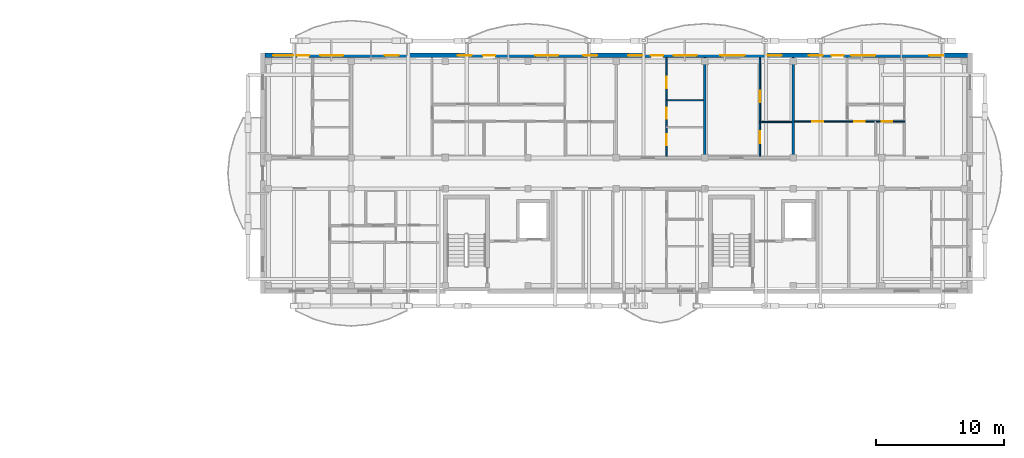
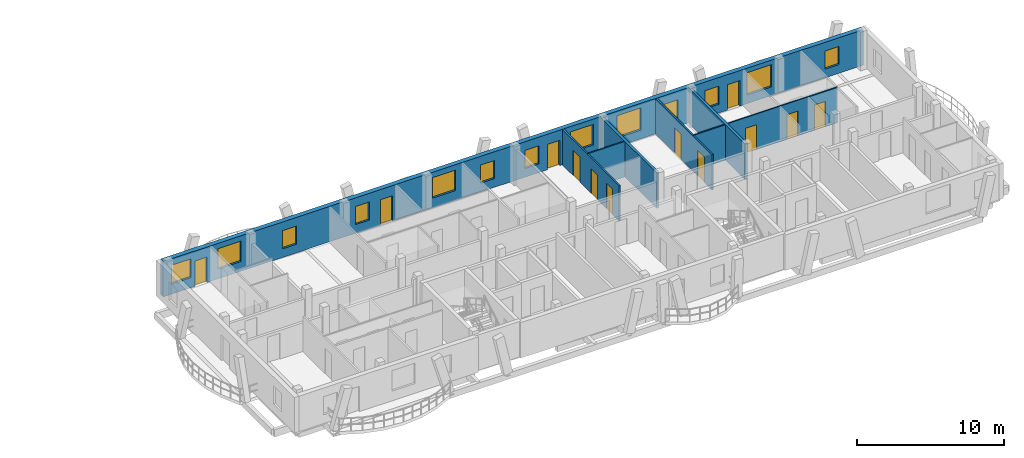
# One storey, part 36 of 50: 13 windows, 12 doors, 8 walls, 25 openings.
"""IFC4 building model written with IfcOpenShell, lengths in metres."""

from ifc_helpers import new_model, si_unit, direction, frame, frame_2d, origin, origin_with_axes, place, context, subcontext, project, spatial, rectangle, extrude, material, layer, layer_set, type_object, element, fill, save


model = new_model("IFC4")

# Units and contexts
model_context = context("Model", 3, precision=1e-05, world=origin(), true_north=direction((0.0, 1.0)))
body_context = subcontext(model_context, "Body", "Model", "MODEL_VIEW")
ifc_project = project(units=[si_unit("LENGTHUNIT", "METRE"), si_unit("AREAUNIT", "SQUARE_METRE"), si_unit("VOLUMEUNIT", "CUBIC_METRE"), si_unit("PLANEANGLEUNIT", "RADIAN"), si_unit("MASSUNIT", "GRAM", prefix="KILO")], contexts=[model_context])

# Site, building, storey
site_placement = place(None, origin())
site = spatial("IfcSite", under=ifc_project, at=site_placement, CompositionType="ELEMENT")
building_placement = place(site_placement, origin())
building = spatial("IfcBuilding", under=site, at=building_placement, Name="Zavelmont Quarter", CompositionType="ELEMENT")
storey_placement = place(building_placement, frame((0.0, 0.0, 11.199951171875)))
storey = spatial("IfcBuildingStorey", under=building, at=storey_placement, Name="L03", CompositionType="ELEMENT", Elevation=11.199951171875)

# Wall, openings, doors, windows
ifc_material_1 = material(Name="Natural Belgian limestone", Category="masonry")
ifc_layer_1 = layer(ifc_material_1, 0.360107421875)
ifc_layer_set_1 = layer_set([ifc_layer_1], Name="Natural Belgian limestone")
wall_type_1 = type_object("IfcWallType", Name="EW02", PredefinedType="STANDARD", material=ifc_layer_set_1)
wall_1_placement = place(storey_placement, frame((112.969970703125, 116.0, 0.0), z_axis=(0.0, 0.0, 1.0), x_axis=(1.0, 0.0, 0.0)))
wall_1 = element("IfcWall", 1, at=wall_1_placement, inside=storey, type_object=wall_type_1, Name="L03 exterior limestone wall EW02", PredefinedType="STANDARD", context=body_context, shape_type="SweptSolid", body=[
    extrude(rectangle(XDim=54.860107421875, YDim=0.360107421875, at=frame_2d((27.43017578125, 0.0))), origin(), (0.0, 0.0, 1.0), 2.93994140625),
])
opening_1_placement = place(wall_1_placement, frame((2.4970703125, 0.0, 0.0)))
opening_1 = element("IfcOpeningElement", 2, at=opening_1_placement, cuts=wall_1, Name="Opening DR04", PredefinedType="OPENING", context=body_context, shape_type="SweptSolid", body=[
    extrude(rectangle(XDim=0.949951171875, YDim=2.10009765625, at=frame_2d((0.47509765625, 1.050048828125))), frame((0.0, 0.19189453125, 0.0), z_axis=(0.0, -1.0, 0.0), x_axis=(1.0, 0.0, 0.0)), (0.0, 0.0, 1.0), 0.384033203125),
])
opening_2_placement = place(wall_1_placement, frame((17.0263671875, 0.0, 0.0)))
opening_2 = element("IfcOpeningElement", 3, at=opening_2_placement, cuts=wall_1, Name="Opening DR04", PredefinedType="OPENING", context=body_context, shape_type="SweptSolid", body=[
    extrude(rectangle(XDim=0.949951171875, YDim=2.10009765625, at=frame_2d((0.47509765625, 1.050048828125))), frame((0.0, 0.19189453125, 0.0), z_axis=(0.0, -1.0, 0.0), x_axis=(1.0, 0.0, 0.0)), (0.0, 0.0, 1.0), 0.384033203125),
])
opening_3_placement = place(wall_1_placement, frame((30.126220703125, 0.0, 0.0)))
opening_3 = element("IfcOpeningElement", 4, at=opening_3_placement, cuts=wall_1, Name="Opening DR04", PredefinedType="OPENING", context=body_context, shape_type="SweptSolid", body=[
    extrude(rectangle(XDim=0.949951171875, YDim=2.10009765625, at=frame_2d((0.47509765625, 1.050048828125))), frame((0.0, 0.19189453125, 0.0), z_axis=(0.0, -1.0, 0.0), x_axis=(1.0, 0.0, 0.0)), (0.0, 0.0, 1.0), 0.384033203125),
])
opening_4_placement = place(wall_1_placement, frame((44.226318359375, 0.0, 0.0)))
opening_4 = element("IfcOpeningElement", 5, at=opening_4_placement, cuts=wall_1, Name="Opening DR04", PredefinedType="OPENING", context=body_context, shape_type="SweptSolid", body=[
    extrude(rectangle(XDim=0.949951171875, YDim=2.10009765625, at=frame_2d((0.47509765625, 1.050048828125))), frame((0.0, 0.19189453125, 0.0), z_axis=(0.0, -1.0, 0.0), x_axis=(1.0, 0.0, 0.0)), (0.0, 0.0, 1.0), 0.384033203125),
])
opening_5_placement = place(wall_1_placement, frame((0.64501953125, 0.0, 0.85009765625)))
opening_5 = element("IfcOpeningElement", 6, at=opening_5_placement, cuts=wall_1, Name="Opening WN23", PredefinedType="OPENING", context=body_context, shape_type="SweptSolid", body=[
    extrude(rectangle(XDim=1.550048828125, YDim=1.550048828125, at=frame_2d((0.77490234375, 0.77490234375))), frame((0.0, 0.19189453125, 0.0), z_axis=(0.0, -1.0, 0.0), x_axis=(1.0, 0.0, 0.0)), (0.0, 0.0, 1.0), 0.384033203125),
])
opening_6_placement = place(wall_1_placement, frame((4.300048828125, 0.0, 0.800048828125)))
opening_6 = element("IfcOpeningElement", 7, at=opening_6_placement, cuts=wall_1, Name="Opening WN02", PredefinedType="OPENING", context=body_context, shape_type="SweptSolid", body=[
    extrude(rectangle(XDim=1.800048828125, YDim=1.699951171875, at=frame_2d((0.89990234375, 0.85009765625))), frame((0.0, 0.19189453125, 0.0), z_axis=(0.0, -1.0, 0.0), x_axis=(1.0, 0.0, 0.0)), (0.0, 0.0, 1.0), 0.384033203125),
])
opening_7_placement = place(wall_1_placement, frame((9.35009765625, 0.0, 0.719970703125)))
opening_7 = element("IfcOpeningElement", 8, at=opening_7_placement, cuts=wall_1, Name="Opening WN09", PredefinedType="OPENING", context=body_context, shape_type="SweptSolid", body=[
    extrude(rectangle(XDim=1.10009765625, YDim=1.5, at=frame_2d((0.550048828125, 0.75))), frame((0.0, 0.19189453125, 0.0), z_axis=(0.0, -1.0, 0.0), x_axis=(1.0, 0.0, 0.0)), (0.0, 0.0, 1.0), 0.384033203125),
])
opening_8_placement = place(wall_1_placement, frame((15.050048828125, 0.0, 0.719970703125)))
opening_8 = element("IfcOpeningElement", 9, at=opening_8_placement, cuts=wall_1, Name="Opening WN09", PredefinedType="OPENING", context=body_context, shape_type="SweptSolid", body=[
    extrude(rectangle(XDim=1.10009765625, YDim=1.5, at=frame_2d((0.550048828125, 0.75))), frame((0.0, 0.19189453125, 0.0), z_axis=(0.0, -1.0, 0.0), x_axis=(1.0, 0.0, 0.0)), (0.0, 0.0, 1.0), 0.384033203125),
])
opening_9_placement = place(wall_1_placement, frame((21.10009765625, 0.0, 0.800048828125)))
opening_9 = element("IfcOpeningElement", 10, at=opening_9_placement, cuts=wall_1, Name="Opening WN02", PredefinedType="OPENING", context=body_context, shape_type="SweptSolid", body=[
    extrude(rectangle(XDim=1.800048828125, YDim=1.699951171875, at=frame_2d((0.89990234375, 0.85009765625))), frame((0.0, 0.19189453125, 0.0), z_axis=(0.0, -1.0, 0.0), x_axis=(1.0, 0.0, 0.0)), (0.0, 0.0, 1.0), 0.384033203125),
])
opening_10_placement = place(wall_1_placement, frame((24.85009765625, 0.0, 0.719970703125)))
opening_10 = element("IfcOpeningElement", 11, at=opening_10_placement, cuts=wall_1, Name="Opening WN09", PredefinedType="OPENING", context=body_context, shape_type="SweptSolid", body=[
    extrude(rectangle(XDim=1.10009765625, YDim=1.5, at=frame_2d((0.550048828125, 0.75))), frame((0.0, 0.19189453125, 0.0), z_axis=(0.0, -1.0, 0.0), x_axis=(1.0, 0.0, 0.0)), (0.0, 0.0, 1.0), 0.384033203125),
])
opening_11_placement = place(wall_1_placement, frame((28.35009765625, 0.0, 0.719970703125)))
opening_11 = element("IfcOpeningElement", 12, at=opening_11_placement, cuts=wall_1, Name="Opening WN09", PredefinedType="OPENING", context=body_context, shape_type="SweptSolid", body=[
    extrude(rectangle(XDim=1.10009765625, YDim=1.5, at=frame_2d((0.550048828125, 0.75))), frame((0.0, 0.19189453125, 0.0), z_axis=(0.0, -1.0, 0.0), x_axis=(1.0, 0.0, 0.0)), (0.0, 0.0, 1.0), 0.384033203125),
])
opening_12_placement = place(wall_1_placement, frame((31.89990234375, 0.0, 0.800048828125)))
opening_12 = element("IfcOpeningElement", 13, at=opening_12_placement, cuts=wall_1, Name="Opening WN02", PredefinedType="OPENING", context=body_context, shape_type="SweptSolid", body=[
    extrude(rectangle(XDim=1.800048828125, YDim=1.699951171875, at=frame_2d((0.89990234375, 0.85009765625))), frame((0.0, 0.19189453125, 0.0), z_axis=(0.0, -1.0, 0.0), x_axis=(1.0, 0.0, 0.0)), (0.0, 0.0, 1.0), 0.384033203125),
])
opening_13_placement = place(wall_1_placement, frame((35.550048828125, 0.0, 0.719970703125)))
opening_13 = element("IfcOpeningElement", 14, at=opening_13_placement, cuts=wall_1, Name="Opening WN20", PredefinedType="OPENING", context=body_context, shape_type="SweptSolid", body=[
    extrude(rectangle(XDim=1.89990234375, YDim=1.85009765625, at=frame_2d((0.949951171875, 0.925048828125))), frame((0.0, 0.19189453125, 0.0), z_axis=(0.0, -1.0, 0.0), x_axis=(1.0, 0.0, 0.0)), (0.0, 0.0, 1.0), 0.384033203125),
])
opening_14_placement = place(wall_1_placement, frame((39.25, 0.0, 0.719970703125)))
opening_14 = element("IfcOpeningElement", 15, at=opening_14_placement, cuts=wall_1, Name="Opening WN09", PredefinedType="OPENING", context=body_context, shape_type="SweptSolid", body=[
    extrude(rectangle(XDim=1.10009765625, YDim=1.5, at=frame_2d((0.550048828125, 0.75))), frame((0.0, 0.19189453125, 0.0), z_axis=(0.0, -1.0, 0.0), x_axis=(1.0, 0.0, 0.0)), (0.0, 0.0, 1.0), 0.384033203125),
])
opening_15_placement = place(wall_1_placement, frame((42.449951171875, 0.0, 0.719970703125)))
opening_15 = element("IfcOpeningElement", 16, at=opening_15_placement, cuts=wall_1, Name="Opening WN09", PredefinedType="OPENING", context=body_context, shape_type="SweptSolid", body=[
    extrude(rectangle(XDim=1.10009765625, YDim=1.5, at=frame_2d((0.550048828125, 0.75))), frame((0.0, 0.19189453125, 0.0), z_axis=(0.0, -1.0, 0.0), x_axis=(1.0, 0.0, 0.0)), (0.0, 0.0, 1.0), 0.384033203125),
])
opening_16_placement = place(wall_1_placement, frame((45.75, 0.0, 0.719970703125)))
opening_16 = element("IfcOpeningElement", 17, at=opening_16_placement, cuts=wall_1, Name="Opening WN20", PredefinedType="OPENING", context=body_context, shape_type="SweptSolid", body=[
    extrude(rectangle(XDim=1.89990234375, YDim=1.85009765625, at=frame_2d((0.949951171875, 0.925048828125))), frame((0.0, 0.19189453125, 0.0), z_axis=(0.0, -1.0, 0.0), x_axis=(1.0, 0.0, 0.0)), (0.0, 0.0, 1.0), 0.384033203125),
])
opening_17_placement = place(wall_1_placement, frame((51.85009765625, 0.0, 0.719970703125)))
opening_17 = element("IfcOpeningElement", 18, at=opening_17_placement, cuts=wall_1, Name="Opening WN09", PredefinedType="OPENING", context=body_context, shape_type="SweptSolid", body=[
    extrude(rectangle(XDim=1.10009765625, YDim=1.5, at=frame_2d((0.550048828125, 0.75))), frame((0.0, 0.19189453125, 0.0), z_axis=(0.0, -1.0, 0.0), x_axis=(1.0, 0.0, 0.0)), (0.0, 0.0, 1.0), 0.384033203125),
])
ifc_material_2 = material(Name="Thermally broken aluminium and double safety glass", Category="aluminium")
door_type_1 = type_object("IfcDoorType", Name="DR04", OperationType="NOTDEFINED", PredefinedType="DOOR", material=ifc_material_2)
door_1_placement = place(opening_1_placement, frame((0.949951171875, 0.0, 0.0), z_axis=(0.0, 0.0, 1.0), x_axis=(-1.0, 0.0, 0.0)))
door_1 = element("IfcDoor", 19, at=door_1_placement, inside=storey, type_object=door_type_1, Name="Block C L03 glazed balcony door", OperationType="SINGLE_SWING_LEFT", OverallHeight=2.10009765625, OverallWidth=0.949951171875, PredefinedType="DOOR", context=body_context, shape_type="SweptSolid", body=[
    extrude(rectangle(XDim=0.949951171875, YDim=2.10009765625, at=frame_2d((0.47509765625, 1.050048828125))), frame((0.0, 0.02490234375, 0.0), z_axis=(0.0, -1.0, 0.0), x_axis=(1.0, 0.0, 0.0)), (0.0, 0.0, 1.0), 0.050048828125),
])
fill(opening_1, door_1)
door_2_placement = place(opening_2_placement, frame((0.949951171875, 0.0, 0.0), z_axis=(0.0, 0.0, 1.0), x_axis=(-1.0, 0.0, 0.0)))
door_2 = element("IfcDoor", 20, at=door_2_placement, inside=storey, type_object=door_type_1, Name="Block C L03 glazed balcony door", OperationType="SINGLE_SWING_LEFT", OverallHeight=2.10009765625, OverallWidth=0.949951171875, PredefinedType="DOOR", context=body_context, shape_type="SweptSolid", body=[
    extrude(rectangle(XDim=0.949951171875, YDim=2.10009765625, at=frame_2d((0.47509765625, 1.050048828125))), frame((0.0, 0.02490234375, 0.0), z_axis=(0.0, -1.0, 0.0), x_axis=(1.0, 0.0, 0.0)), (0.0, 0.0, 1.0), 0.050048828125),
])
fill(opening_2, door_2)
door_3_placement = place(opening_3_placement, frame((0.949951171875, 0.0, 0.0), z_axis=(0.0, 0.0, 1.0), x_axis=(-1.0, 0.0, 0.0)))
door_3 = element("IfcDoor", 21, at=door_3_placement, inside=storey, type_object=door_type_1, Name="Block C L03 glazed balcony door", OperationType="SINGLE_SWING_LEFT", OverallHeight=2.10009765625, OverallWidth=0.949951171875, PredefinedType="DOOR", context=body_context, shape_type="SweptSolid", body=[
    extrude(rectangle(XDim=0.949951171875, YDim=2.10009765625, at=frame_2d((0.47509765625, 1.050048828125))), frame((0.0, 0.02490234375, 0.0), z_axis=(0.0, -1.0, 0.0), x_axis=(1.0, 0.0, 0.0)), (0.0, 0.0, 1.0), 0.050048828125),
])
fill(opening_3, door_3)
door_4_placement = place(opening_4_placement, frame((0.949951171875, 0.0, 0.0), z_axis=(0.0, 0.0, 1.0), x_axis=(-1.0, 0.0, 0.0)))
door_4 = element("IfcDoor", 22, at=door_4_placement, inside=storey, type_object=door_type_1, Name="Block C L03 glazed balcony door", OperationType="SINGLE_SWING_LEFT", OverallHeight=2.10009765625, OverallWidth=0.949951171875, PredefinedType="DOOR", context=body_context, shape_type="SweptSolid", body=[
    extrude(rectangle(XDim=0.949951171875, YDim=2.10009765625, at=frame_2d((0.47509765625, 1.050048828125))), frame((0.0, 0.02490234375, 0.0), z_axis=(0.0, -1.0, 0.0), x_axis=(1.0, 0.0, 0.0)), (0.0, 0.0, 1.0), 0.050048828125),
])
fill(opening_4, door_4)
ifc_material_3 = material(Name="Double low-E insulated glazing in thermally broken aluminium frame", Category="aluminium")
window_type_1 = type_object("IfcWindowType", Name="WN02", PartitioningType="SINGLE_PANEL", PredefinedType="WINDOW", material=ifc_material_3)
window_1_placement = place(opening_6_placement, origin_with_axes())
window_1 = element("IfcWindow", 23, at=window_1_placement, inside=storey, type_object=window_type_1, Name="L03 window WN02", OverallHeight=1.699951171875, OverallWidth=1.800048828125, PartitioningType="SINGLE_PANEL", PredefinedType="WINDOW", context=body_context, shape_type="SweptSolid", body=[
    extrude(rectangle(XDim=1.800048828125, YDim=1.699951171875, at=frame_2d((0.89990234375, 0.85009765625))), frame((0.0, 0.030029296875, 0.0), z_axis=(0.0, -1.0, 0.0), x_axis=(1.0, 0.0, 0.0)), (0.0, 0.0, 1.0), 0.06005859375),
])
fill(opening_6, window_1)
window_2_placement = place(opening_9_placement, origin_with_axes())
window_2 = element("IfcWindow", 24, at=window_2_placement, inside=storey, type_object=window_type_1, Name="L03 window WN02", OverallHeight=1.699951171875, OverallWidth=1.800048828125, PartitioningType="SINGLE_PANEL", PredefinedType="WINDOW", context=body_context, shape_type="SweptSolid", body=[
    extrude(rectangle(XDim=1.800048828125, YDim=1.699951171875, at=frame_2d((0.89990234375, 0.85009765625))), frame((0.0, 0.030029296875, 0.0), z_axis=(0.0, -1.0, 0.0), x_axis=(1.0, 0.0, 0.0)), (0.0, 0.0, 1.0), 0.06005859375),
])
fill(opening_9, window_2)
window_3_placement = place(opening_12_placement, origin_with_axes())
window_3 = element("IfcWindow", 25, at=window_3_placement, inside=storey, type_object=window_type_1, Name="L03 window WN02", OverallHeight=1.699951171875, OverallWidth=1.800048828125, PartitioningType="SINGLE_PANEL", PredefinedType="WINDOW", context=body_context, shape_type="SweptSolid", body=[
    extrude(rectangle(XDim=1.800048828125, YDim=1.699951171875, at=frame_2d((0.89990234375, 0.85009765625))), frame((0.0, 0.030029296875, 0.0), z_axis=(0.0, -1.0, 0.0), x_axis=(1.0, 0.0, 0.0)), (0.0, 0.0, 1.0), 0.06005859375),
])
fill(opening_12, window_3)
window_type_2 = type_object("IfcWindowType", Name="WN09", PartitioningType="SINGLE_PANEL", PredefinedType="WINDOW", material=ifc_material_3)
window_4_placement = place(opening_7_placement, origin_with_axes())
window_4 = element("IfcWindow", 26, at=window_4_placement, inside=storey, type_object=window_type_2, Name="L03 window WN09", OverallHeight=1.5, OverallWidth=1.10009765625, PartitioningType="SINGLE_PANEL", PredefinedType="WINDOW", context=body_context, shape_type="SweptSolid", body=[
    extrude(rectangle(XDim=1.10009765625, YDim=1.5, at=frame_2d((0.550048828125, 0.75))), frame((0.0, 0.030029296875, 0.0), z_axis=(0.0, -1.0, 0.0), x_axis=(1.0, 0.0, 0.0)), (0.0, 0.0, 1.0), 0.06005859375),
])
fill(opening_7, window_4)
window_5_placement = place(opening_8_placement, origin_with_axes())
window_5 = element("IfcWindow", 27, at=window_5_placement, inside=storey, type_object=window_type_2, Name="L03 window WN09", OverallHeight=1.5, OverallWidth=1.10009765625, PartitioningType="SINGLE_PANEL", PredefinedType="WINDOW", context=body_context, shape_type="SweptSolid", body=[
    extrude(rectangle(XDim=1.10009765625, YDim=1.5, at=frame_2d((0.550048828125, 0.75))), frame((0.0, 0.030029296875, 0.0), z_axis=(0.0, -1.0, 0.0), x_axis=(1.0, 0.0, 0.0)), (0.0, 0.0, 1.0), 0.06005859375),
])
fill(opening_8, window_5)
window_6_placement = place(opening_10_placement, origin_with_axes())
window_6 = element("IfcWindow", 28, at=window_6_placement, inside=storey, type_object=window_type_2, Name="L03 window WN09", OverallHeight=1.5, OverallWidth=1.10009765625, PartitioningType="SINGLE_PANEL", PredefinedType="WINDOW", context=body_context, shape_type="SweptSolid", body=[
    extrude(rectangle(XDim=1.10009765625, YDim=1.5, at=frame_2d((0.550048828125, 0.75))), frame((0.0, 0.030029296875, 0.0), z_axis=(0.0, -1.0, 0.0), x_axis=(1.0, 0.0, 0.0)), (0.0, 0.0, 1.0), 0.06005859375),
])
fill(opening_10, window_6)
window_7_placement = place(opening_11_placement, origin_with_axes())
window_7 = element("IfcWindow", 29, at=window_7_placement, inside=storey, type_object=window_type_2, Name="L03 window WN09", OverallHeight=1.5, OverallWidth=1.10009765625, PartitioningType="SINGLE_PANEL", PredefinedType="WINDOW", context=body_context, shape_type="SweptSolid", body=[
    extrude(rectangle(XDim=1.10009765625, YDim=1.5, at=frame_2d((0.550048828125, 0.75))), frame((0.0, 0.030029296875, 0.0), z_axis=(0.0, -1.0, 0.0), x_axis=(1.0, 0.0, 0.0)), (0.0, 0.0, 1.0), 0.06005859375),
])
fill(opening_11, window_7)
window_8_placement = place(opening_14_placement, origin_with_axes())
window_8 = element("IfcWindow", 30, at=window_8_placement, inside=storey, type_object=window_type_2, Name="L03 window WN09", OverallHeight=1.5, OverallWidth=1.10009765625, PartitioningType="SINGLE_PANEL", PredefinedType="WINDOW", context=body_context, shape_type="SweptSolid", body=[
    extrude(rectangle(XDim=1.10009765625, YDim=1.5, at=frame_2d((0.550048828125, 0.75))), frame((0.0, 0.030029296875, 0.0), z_axis=(0.0, -1.0, 0.0), x_axis=(1.0, 0.0, 0.0)), (0.0, 0.0, 1.0), 0.06005859375),
])
fill(opening_14, window_8)
window_9_placement = place(opening_15_placement, origin_with_axes())
window_9 = element("IfcWindow", 31, at=window_9_placement, inside=storey, type_object=window_type_2, Name="L03 window WN09", OverallHeight=1.5, OverallWidth=1.10009765625, PartitioningType="SINGLE_PANEL", PredefinedType="WINDOW", context=body_context, shape_type="SweptSolid", body=[
    extrude(rectangle(XDim=1.10009765625, YDim=1.5, at=frame_2d((0.550048828125, 0.75))), frame((0.0, 0.030029296875, 0.0), z_axis=(0.0, -1.0, 0.0), x_axis=(1.0, 0.0, 0.0)), (0.0, 0.0, 1.0), 0.06005859375),
])
fill(opening_15, window_9)
window_10_placement = place(opening_17_placement, origin_with_axes())
window_10 = element("IfcWindow", 32, at=window_10_placement, inside=storey, type_object=window_type_2, Name="L03 window WN09", OverallHeight=1.5, OverallWidth=1.10009765625, PartitioningType="SINGLE_PANEL", PredefinedType="WINDOW", context=body_context, shape_type="SweptSolid", body=[
    extrude(rectangle(XDim=1.10009765625, YDim=1.5, at=frame_2d((0.550048828125, 0.75))), frame((0.0, 0.030029296875, 0.0), z_axis=(0.0, -1.0, 0.0), x_axis=(1.0, 0.0, 0.0)), (0.0, 0.0, 1.0), 0.06005859375),
])
fill(opening_17, window_10)
window_type_3 = type_object("IfcWindowType", Name="WN20", PartitioningType="SINGLE_PANEL", PredefinedType="WINDOW", material=ifc_material_3)
window_11_placement = place(opening_13_placement, origin_with_axes())
window_11 = element("IfcWindow", 33, at=window_11_placement, inside=storey, type_object=window_type_3, Name="L03 window WN20", OverallHeight=1.85009765625, OverallWidth=1.89990234375, PartitioningType="SINGLE_PANEL", PredefinedType="WINDOW", context=body_context, shape_type="SweptSolid", body=[
    extrude(rectangle(XDim=1.89990234375, YDim=1.85009765625, at=frame_2d((0.949951171875, 0.925048828125))), frame((0.0, 0.030029296875, 0.0), z_axis=(0.0, -1.0, 0.0), x_axis=(1.0, 0.0, 0.0)), (0.0, 0.0, 1.0), 0.06005859375),
])
fill(opening_13, window_11)
window_12_placement = place(opening_16_placement, origin_with_axes())
window_12 = element("IfcWindow", 34, at=window_12_placement, inside=storey, type_object=window_type_3, Name="L03 window WN20", OverallHeight=1.85009765625, OverallWidth=1.89990234375, PartitioningType="SINGLE_PANEL", PredefinedType="WINDOW", context=body_context, shape_type="SweptSolid", body=[
    extrude(rectangle(XDim=1.89990234375, YDim=1.85009765625, at=frame_2d((0.949951171875, 0.925048828125))), frame((0.0, 0.030029296875, 0.0), z_axis=(0.0, -1.0, 0.0), x_axis=(1.0, 0.0, 0.0)), (0.0, 0.0, 1.0), 0.06005859375),
])
fill(opening_16, window_12)
window_type_4 = type_object("IfcWindowType", Name="WN23", PartitioningType="SINGLE_PANEL", PredefinedType="WINDOW", material=ifc_material_3)
window_13_placement = place(opening_5_placement, origin_with_axes())
window_13 = element("IfcWindow", 35, at=window_13_placement, inside=storey, type_object=window_type_4, Name="L03 window WN23", OverallHeight=1.550048828125, OverallWidth=1.550048828125, PartitioningType="SINGLE_PANEL", PredefinedType="WINDOW", context=body_context, shape_type="SweptSolid", body=[
    extrude(rectangle(XDim=1.550048828125, YDim=1.550048828125, at=frame_2d((0.77490234375, 0.77490234375))), frame((0.0, 0.030029296875, 0.0), z_axis=(0.0, -1.0, 0.0), x_axis=(1.0, 0.0, 0.0)), (0.0, 0.0, 1.0), 0.06005859375),
])
fill(opening_5, window_13)

# Walls
ifc_material_4 = material(Name="Calcium-silicate blockwork and acoustic plaster", Category="masonry")
ifc_layer_2 = layer(ifc_material_4, 0.199951171875)
ifc_layer_set_2 = layer_set([ifc_layer_2], Name="Calcium-silicate blockwork and acoustic plaster")
wall_type_2 = type_object("IfcWallType", Name="IW01", PredefinedType="PARTITIONING", material=ifc_layer_set_2)
for number, where, z_axis, x_axis, name in (
    (36, (147.300048828125, 108.14990234375, 0.0), (0.0, 0.0, 1.0), (0.0, 1.0, 0.0), "L03 Inter-dwelling compartment wall IW01"),
    (37, (154.199951171875, 108.14990234375, 0.0), (0.0, 0.0, 1.0), (0.0, 1.0, 0.0), "L03 Inter-dwelling compartment wall IW01"),
):
    element("IfcWall", number, at=place(storey_placement, frame(where, z_axis=z_axis, x_axis=x_axis)), inside=storey, type_object=wall_type_2, Name=name, PredefinedType="PARTITIONING", context=body_context, shape_type="SweptSolid", body=[
        extrude(rectangle(XDim=7.7001953125, YDim=0.199951171875, at=frame_2d((3.85009765625, 0.0))), origin(), (0.0, 0.0, 1.0), 2.93994140625),
    ])

# Wall, openings, doors
ifc_material_5 = material(Name="Double gypsum board on acoustic steel stud", Category="steel")
ifc_layer_3 = layer(ifc_material_5, 0.125)
ifc_layer_set_3 = layer_set([ifc_layer_3], Name="Double gypsum board on acoustic steel stud")
wall_type_3 = type_object("IfcWallType", Name="IW03", PredefinedType="PARTITIONING", material=ifc_layer_set_3)
wall_2_placement = place(storey_placement, frame((144.300048828125, 108.14990234375, 0.0), z_axis=(0.0, 0.0, 1.0), x_axis=(0.0, 1.0, 0.0)))
wall_2 = element("IfcWall", 38, at=wall_2_placement, inside=storey, type_object=wall_type_3, Name="L03 Partition IW03", PredefinedType="PARTITIONING", context=body_context, shape_type="SweptSolid", body=[
    extrude(rectangle(XDim=7.650146484375, YDim=0.125, at=frame_2d((3.8251953125, 0.0))), origin(), (0.0, 0.0, 1.0), 2.93994140625),
])
opening_18_placement = place(wall_2_placement, frame((0.85009765625, 0.0, 0.0)))
opening_18 = element("IfcOpeningElement", 39, at=opening_18_placement, cuts=wall_2, Name="Opening DR16", PredefinedType="OPENING", context=body_context, shape_type="SweptSolid", body=[
    extrude(rectangle(XDim=0.85009765625, YDim=2.10009765625, at=frame_2d((0.425048828125, 1.050048828125))), frame((0.0, 0.074462890625, 0.0), z_axis=(0.0, -1.0, 0.0), x_axis=(1.0, 0.0, 0.0)), (0.0, 0.0, 1.0), 0.14892578125),
])
opening_19_placement = place(wall_2_placement, frame((2.89990234375, 0.0, 0.0)))
opening_19 = element("IfcOpeningElement", 40, at=opening_19_placement, cuts=wall_2, Name="Opening DR06", PredefinedType="OPENING", context=body_context, shape_type="SweptSolid", body=[
    extrude(rectangle(XDim=0.85009765625, YDim=2.050048828125, at=frame_2d((0.425048828125, 1.02490234375))), frame((0.0, 0.074462890625, 0.0), z_axis=(0.0, -1.0, 0.0), x_axis=(1.0, 0.0, 0.0)), (0.0, 0.0, 1.0), 0.14892578125),
])
opening_20_placement = place(wall_2_placement, frame((5.300048828125, 0.0, 0.0)))
opening_20 = element("IfcOpeningElement", 41, at=opening_20_placement, cuts=wall_2, Name="Opening DR05", PredefinedType="OPENING", context=body_context, shape_type="SweptSolid", body=[
    extrude(rectangle(XDim=0.89990234375, YDim=2.10009765625, at=frame_2d((0.449951171875, 1.050048828125))), frame((0.0, 0.074462890625, 0.0), z_axis=(0.0, -1.0, 0.0), x_axis=(1.0, 0.0, 0.0)), (0.0, 0.0, 1.0), 0.14892578125),
])
ifc_material_6 = material(Name="Engineered oak flush interior door")
door_type_2 = type_object("IfcDoorType", Name="DR05", OperationType="NOTDEFINED", PredefinedType="DOOR", material=ifc_material_6)
door_5_placement = place(opening_20_placement, frame((0.89990234375, 0.0, 0.0), z_axis=(0.0, 0.0, 1.0), x_axis=(-1.0, 0.0, 0.0)))
door_5 = element("IfcDoor", 42, at=door_5_placement, inside=storey, type_object=door_type_2, Name="L03 door DR05", OperationType="SINGLE_SWING_RIGHT", OverallHeight=2.10009765625, OverallWidth=0.89990234375, PredefinedType="DOOR", context=body_context, shape_type="SweptSolid", body=[
    extrude(rectangle(XDim=0.89990234375, YDim=2.10009765625, at=frame_2d((0.449951171875, 1.050048828125))), frame((0.0, 0.02490234375, 0.0), z_axis=(0.0, -1.0, 0.0), x_axis=(1.0, 0.0, 0.0)), (0.0, 0.0, 1.0), 0.050048828125),
])
fill(opening_20, door_5)
ifc_material_7 = material(Name="Moisture-resistant painted wet-room door")
door_type_3 = type_object("IfcDoorType", Name="DR06", OperationType="NOTDEFINED", PredefinedType="DOOR", material=ifc_material_7)
door_6_placement = place(opening_19_placement, origin_with_axes())
door_6 = element("IfcDoor", 43, at=door_6_placement, inside=storey, type_object=door_type_3, Name="L03 door DR06", OperationType="SINGLE_SWING_LEFT", OverallHeight=2.050048828125, OverallWidth=0.85009765625, PredefinedType="DOOR", context=body_context, shape_type="SweptSolid", body=[
    extrude(rectangle(XDim=0.85009765625, YDim=2.050048828125, at=frame_2d((0.425048828125, 1.02490234375))), frame((0.0, 0.02490234375, 0.0), z_axis=(0.0, -1.0, 0.0), x_axis=(1.0, 0.0, 0.0)), (0.0, 0.0, 1.0), 0.050048828125),
])
fill(opening_19, door_6)
door_type_4 = type_object("IfcDoorType", Name="DR16", OperationType="NOTDEFINED", PredefinedType="DOOR", material=ifc_material_6)
door_7_placement = place(opening_18_placement, frame((0.85009765625, 0.0, 0.0), z_axis=(0.0, 0.0, 1.0), x_axis=(-1.0, 0.0, 0.0)))
door_7 = element("IfcDoor", 44, at=door_7_placement, inside=storey, type_object=door_type_4, Name="L03 door DR16", OperationType="SINGLE_SWING_RIGHT", OverallHeight=2.10009765625, OverallWidth=0.85009765625, PredefinedType="DOOR", context=body_context, shape_type="SweptSolid", body=[
    extrude(rectangle(XDim=0.85009765625, YDim=2.10009765625, at=frame_2d((0.425048828125, 1.050048828125))), frame((0.0, 0.02490234375, 0.0), z_axis=(0.0, -1.0, 0.0), x_axis=(1.0, 0.0, 0.0)), (0.0, 0.0, 1.0), 0.050048828125),
])
fill(opening_18, door_7)

wall_3_placement = place(storey_placement, frame((151.60009765625, 108.14990234375, 0.0), z_axis=(0.0, 0.0, 1.0), x_axis=(0.0, 1.0, 0.0)))
wall_3 = element("IfcWall", 45, at=wall_3_placement, inside=storey, type_object=wall_type_3, Name="L03 Partition IW03", PredefinedType="PARTITIONING", context=body_context, shape_type="SweptSolid", body=[
    extrude(rectangle(XDim=7.650146484375, YDim=0.125, at=frame_2d((3.8251953125, 0.0))), origin(), (0.0, 0.0, 1.0), 2.93994140625),
])
opening_21_placement = place(wall_3_placement, frame((1.0, 0.0, 0.0)))
opening_21 = element("IfcOpeningElement", 46, at=opening_21_placement, cuts=wall_3, Name="Opening DR17", PredefinedType="OPENING", context=body_context, shape_type="SweptSolid", body=[
    extrude(rectangle(XDim=0.949951171875, YDim=2.10009765625, at=frame_2d((0.47509765625, 1.050048828125))), frame((0.0, 0.074462890625, 0.0), z_axis=(0.0, -1.0, 0.0), x_axis=(1.0, 0.0, 0.0)), (0.0, 0.0, 1.0), 0.14892578125),
])
opening_22_placement = place(wall_3_placement, frame((4.199951171875, 0.0, 0.0)))
opening_22 = element("IfcOpeningElement", 47, at=opening_22_placement, cuts=wall_3, Name="Opening DR05", PredefinedType="OPENING", context=body_context, shape_type="SweptSolid", body=[
    extrude(rectangle(XDim=0.89990234375, YDim=2.10009765625, at=frame_2d((0.449951171875, 1.050048828125))), frame((0.0, 0.074462890625, 0.0), z_axis=(0.0, -1.0, 0.0), x_axis=(1.0, 0.0, 0.0)), (0.0, 0.0, 1.0), 0.14892578125),
])
door_8_placement = place(opening_22_placement, origin_with_axes())
door_8 = element("IfcDoor", 48, at=door_8_placement, inside=storey, type_object=door_type_2, Name="L03 door DR05", OperationType="SINGLE_SWING_RIGHT", OverallHeight=2.10009765625, OverallWidth=0.89990234375, PredefinedType="DOOR", context=body_context, shape_type="SweptSolid", body=[
    extrude(rectangle(XDim=0.89990234375, YDim=2.10009765625, at=frame_2d((0.449951171875, 1.050048828125))), frame((0.0, 0.02490234375, 0.0), z_axis=(0.0, -1.0, 0.0), x_axis=(1.0, 0.0, 0.0)), (0.0, 0.0, 1.0), 0.050048828125),
])
fill(opening_22, door_8)
ifc_material_8 = material(Name="Accessible washroom flush door")
door_type_5 = type_object("IfcDoorType", Name="DR17", OperationType="NOTDEFINED", PredefinedType="DOOR", material=ifc_material_8)
door_9_placement = place(opening_21_placement, frame((0.949951171875, 0.0, 0.0), z_axis=(0.0, 0.0, 1.0), x_axis=(-1.0, 0.0, 0.0)))
door_9 = element("IfcDoor", 49, at=door_9_placement, inside=storey, type_object=door_type_5, Name="L03 door DR17", OperationType="SINGLE_SWING_LEFT", OverallHeight=2.10009765625, OverallWidth=0.949951171875, PredefinedType="DOOR", context=body_context, shape_type="SweptSolid", body=[
    extrude(rectangle(XDim=0.949951171875, YDim=2.10009765625, at=frame_2d((0.47509765625, 1.050048828125))), frame((0.0, 0.02490234375, 0.0), z_axis=(0.0, -1.0, 0.0), x_axis=(1.0, 0.0, 0.0)), (0.0, 0.0, 1.0), 0.050048828125),
])
fill(opening_21, door_9)

# Walls
ifc_material_9 = material(Name="Moisture-resistant gypsum board on steel stud", Category="steel")
ifc_layer_4 = layer(ifc_material_9, 0.10009765625)
ifc_layer_set_4 = layer_set([ifc_layer_4], Name="Moisture-resistant gypsum board on steel stud")
wall_type_4 = type_object("IfcWallType", Name="IW04", PredefinedType="PARTITIONING", material=ifc_layer_set_4)
wall_4_placement = place(storey_placement, frame((144.300048828125, 112.5, 0.0), z_axis=(0.0, 0.0, 1.0), x_axis=(1.0, 0.0, 0.0)))
element("IfcWall", 50, at=wall_4_placement, inside=storey, type_object=wall_type_4, Name="L03 Partition IW04", PredefinedType="PARTITIONING", context=body_context, shape_type="SweptSolid", body=[
    extrude(rectangle(XDim=2.89990234375, YDim=0.10009765625, at=frame_2d((1.449951171875, 0.0))), origin(), (0.0, 0.0, 1.0), 2.93994140625),
])
wall_5_placement = place(storey_placement, frame((151.60009765625, 110.800048828125, 0.0), z_axis=(0.0, 0.0, 1.0), x_axis=(1.0, 0.0, 0.0)))
element("IfcWall", 51, at=wall_5_placement, inside=storey, type_object=wall_type_4, Name="L03 Partition IW04", PredefinedType="PARTITIONING", context=body_context, shape_type="SweptSolid", body=[
    extrude(rectangle(XDim=2.5, YDim=0.10009765625, at=frame_2d((1.25, 0.0))), origin(), (0.0, 0.0, 1.0), 2.93994140625),
])

# Wall, openings, doors
wall_6_placement = place(storey_placement, frame((154.300048828125, 110.85009765625, 0.0), z_axis=(0.0, 0.0, 1.0), x_axis=(1.0, 0.0, 0.0)))
wall_6 = element("IfcWall", 52, at=wall_6_placement, inside=storey, type_object=wall_type_4, Name="L03 Partition IW04", PredefinedType="PARTITIONING", context=body_context, shape_type="SweptSolid", body=[
    extrude(rectangle(XDim=8.599853515625, YDim=0.10009765625, at=frame_2d((4.2998046875, 0.0))), origin(), (0.0, 0.0, 1.0), 2.93994140625),
])
opening_23_placement = place(wall_6_placement, frame((1.39990234375, 0.0, 0.0)))
opening_23 = element("IfcOpeningElement", 53, at=opening_23_placement, cuts=wall_6, Name="Opening DR06", PredefinedType="OPENING", context=body_context, shape_type="SweptSolid", body=[
    extrude(rectangle(XDim=0.85009765625, YDim=2.050048828125, at=frame_2d((0.425048828125, 1.02490234375))), frame((0.0, 0.06201171875, 0.0), z_axis=(0.0, -1.0, 0.0), x_axis=(1.0, 0.0, 0.0)), (0.0, 0.0, 1.0), 0.1240234375),
])
opening_24_placement = place(wall_6_placement, frame((4.64990234375, 0.0, 0.0)))
opening_24 = element("IfcOpeningElement", 54, at=opening_24_placement, cuts=wall_6, Name="Opening DR06", PredefinedType="OPENING", context=body_context, shape_type="SweptSolid", body=[
    extrude(rectangle(XDim=0.85009765625, YDim=2.050048828125, at=frame_2d((0.425048828125, 1.02490234375))), frame((0.0, 0.06201171875, 0.0), z_axis=(0.0, -1.0, 0.0), x_axis=(1.0, 0.0, 0.0)), (0.0, 0.0, 1.0), 0.1240234375),
])
opening_25_placement = place(wall_6_placement, frame((6.800048828125, 0.0, 0.0)))
opening_25 = element("IfcOpeningElement", 55, at=opening_25_placement, cuts=wall_6, Name="Opening DR16", PredefinedType="OPENING", context=body_context, shape_type="SweptSolid", body=[
    extrude(rectangle(XDim=0.85009765625, YDim=2.10009765625, at=frame_2d((0.425048828125, 1.050048828125))), frame((0.0, 0.06201171875, 0.0), z_axis=(0.0, -1.0, 0.0), x_axis=(1.0, 0.0, 0.0)), (0.0, 0.0, 1.0), 0.1240234375),
])
door_10_placement = place(opening_23_placement, origin_with_axes())
door_10 = element("IfcDoor", 56, at=door_10_placement, inside=storey, type_object=door_type_3, Name="L03 door DR06", OperationType="SINGLE_SWING_LEFT", OverallHeight=2.050048828125, OverallWidth=0.85009765625, PredefinedType="DOOR", context=body_context, shape_type="SweptSolid", body=[
    extrude(rectangle(XDim=0.85009765625, YDim=2.050048828125, at=frame_2d((0.425048828125, 1.02490234375))), frame((0.0, 0.02490234375, 0.0), z_axis=(0.0, -1.0, 0.0), x_axis=(1.0, 0.0, 0.0)), (0.0, 0.0, 1.0), 0.050048828125),
])
fill(opening_23, door_10)
door_11_placement = place(opening_24_placement, frame((0.85009765625, 0.0, 0.0), z_axis=(0.0, 0.0, 1.0), x_axis=(-1.0, 0.0, 0.0)))
door_11 = element("IfcDoor", 57, at=door_11_placement, inside=storey, type_object=door_type_3, Name="L03 door DR06", OperationType="SINGLE_SWING_RIGHT", OverallHeight=2.050048828125, OverallWidth=0.85009765625, PredefinedType="DOOR", context=body_context, shape_type="SweptSolid", body=[
    extrude(rectangle(XDim=0.85009765625, YDim=2.050048828125, at=frame_2d((0.425048828125, 1.02490234375))), frame((0.0, 0.02490234375, 0.0), z_axis=(0.0, -1.0, 0.0), x_axis=(1.0, 0.0, 0.0)), (0.0, 0.0, 1.0), 0.050048828125),
])
fill(opening_24, door_11)
door_12_placement = place(opening_25_placement, origin_with_axes())
door_12 = element("IfcDoor", 58, at=door_12_placement, inside=storey, type_object=door_type_4, Name="L03 door DR16", OperationType="SINGLE_SWING_LEFT", OverallHeight=2.10009765625, OverallWidth=0.85009765625, PredefinedType="DOOR", context=body_context, shape_type="SweptSolid", body=[
    extrude(rectangle(XDim=0.85009765625, YDim=2.10009765625, at=frame_2d((0.425048828125, 1.050048828125))), frame((0.0, 0.02490234375, 0.0), z_axis=(0.0, -1.0, 0.0), x_axis=(1.0, 0.0, 0.0)), (0.0, 0.0, 1.0), 0.050048828125),
])
fill(opening_25, door_12)

save(model, "model.ifc")
